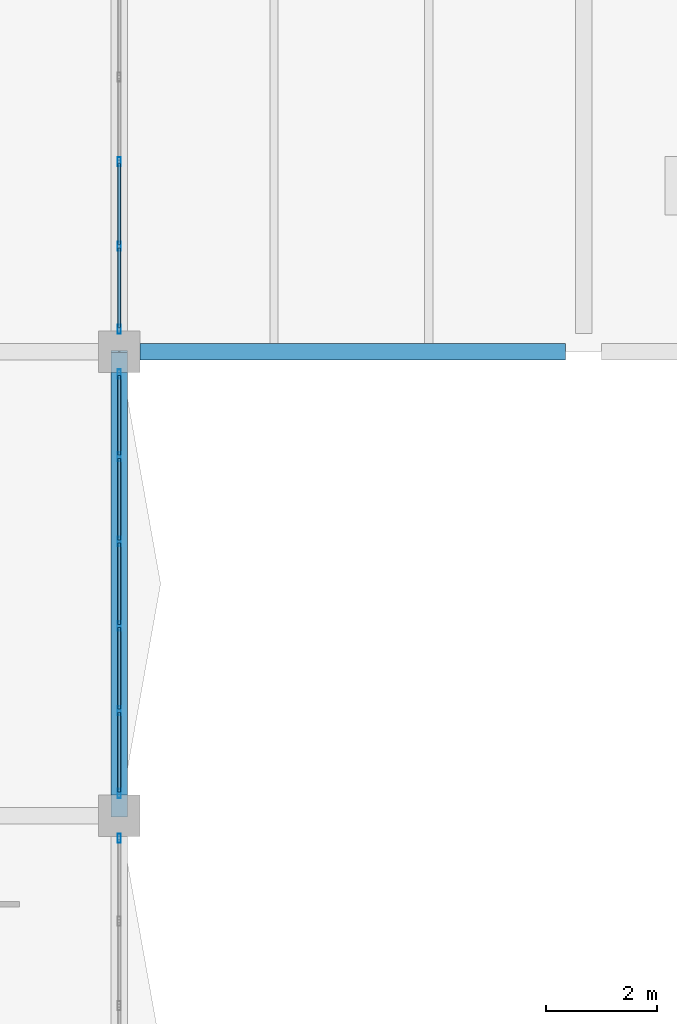
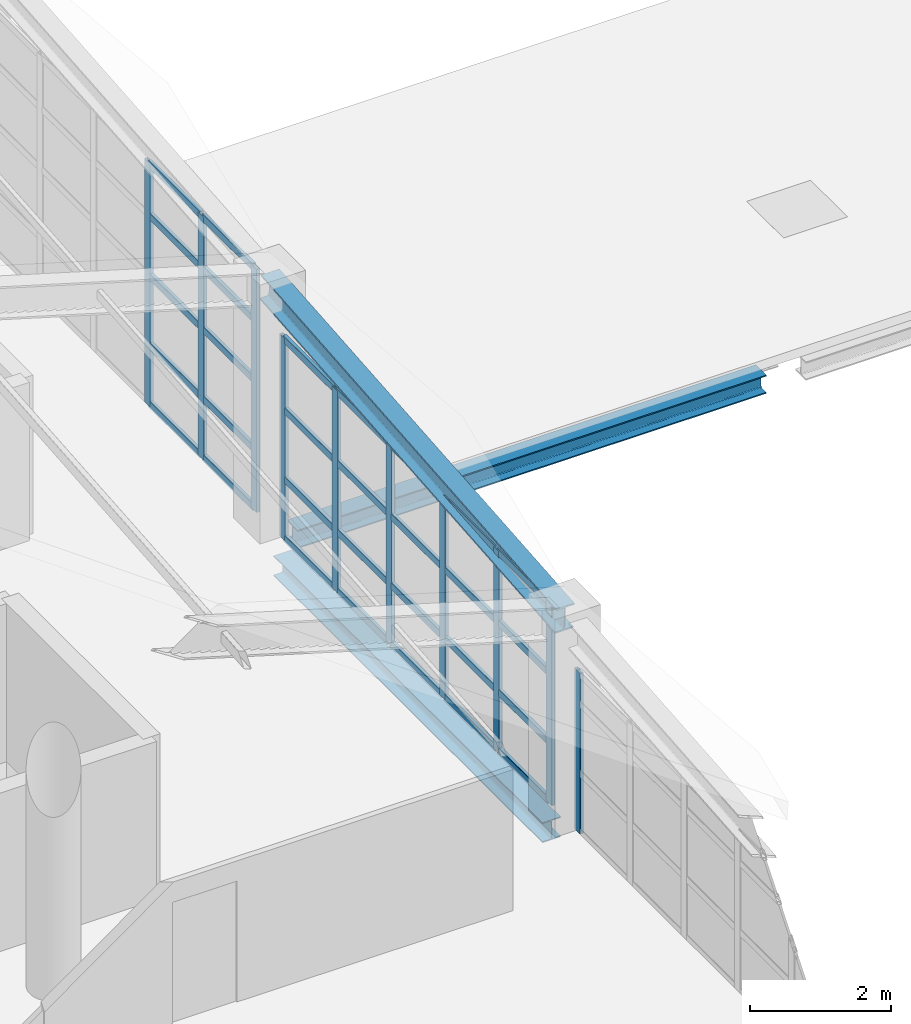
# One storey, part 40 of 95: 41 members, 2 beams, 3 elements without a shape of their own.
"""IFC4 building model written with IfcOpenShell, lengths in metres."""

from ifc_helpers import new_model, si_unit, direction, frame, origin, origin_2d, place, context, subcontext, project, spatial, hollow_rectangle, i_section, extrude, material, layer, layer_set, material_profile, profile_set, type_object, element, aggregate, save


model = new_model("IFC4")

# Units and contexts
model_context = context("Model", 3, precision=1e-05, world=origin(), true_north=direction((0.0, 1.0)))
body_context = subcontext(model_context, "Body", "Model", "MODEL_VIEW")
ifc_project = project(units=[si_unit("LENGTHUNIT", "METRE"), si_unit("AREAUNIT", "SQUARE_METRE"), si_unit("VOLUMEUNIT", "CUBIC_METRE"), si_unit("PLANEANGLEUNIT", "RADIAN"), si_unit("MASSUNIT", "GRAM", prefix="KILO"), si_unit("THERMODYNAMICTEMPERATUREUNIT", "KELVIN"), si_unit("POWERUNIT", "WATT")], contexts=[model_context])

# Site, building, storey
site_placement = place(None, origin())
site = spatial("IfcSite", under=ifc_project, at=site_placement, CompositionType="ELEMENT")
building_placement = place(site_placement, origin())
building = spatial("IfcBuilding", under=site, at=building_placement, Name="Mavoryth Pier Ferry Terminal", CompositionType="ELEMENT")
storey_placement = place(building_placement, frame((0.0, 0.0, 9.60009765625)))
storey = spatial("IfcBuildingStorey", under=building, at=storey_placement, Name="L02", CompositionType="ELEMENT", Elevation=9.60009765625)

# Member
ifc_material_1 = material(Name="Steel S355J2", Category="steel")
ifc_material_profile_1 = material_profile(ifc_material_1, i_section(OverallWidth=0.300048828125, OverallDepth=0.449951171875, WebThickness=0.013916015625, FlangeThickness=0.02587890625, FilletRadius=0.027099609375, at=origin_2d()), Name="HEB 450", Category="steel")
ifc_profile_set_1 = profile_set([ifc_material_profile_1], Name="Steel S355J2 - HEB 450")
member_type_1 = type_object("IfcMemberType", Name="Chord-Eave-HEB450", PredefinedType="CHORD", material=ifc_profile_set_1)
member_1_placement = place(storey_placement, frame((33.60009765625, 80.800048828125, 3.443603515625), z_axis=(0.0, 0.996405760474, 0.084708680154), x_axis=(-1.0, 0.0, 0.0)))
element("IfcMember", 1, at=member_1_placement, inside=storey, type_object=member_type_1, Name="Steel Member MB-L02-0132", PredefinedType="CHORD", context=body_context, shape_type="SweptSolid", body=[
    extrude(i_section(OverallWidth=0.300048828125, OverallDepth=0.449951171875, WebThickness=0.013916015625, FlangeThickness=0.02587890625, FilletRadius=0.027099609375, at=origin_2d()), origin(), (0.0, 0.0, 1.0), 8.43017578125),
])

# Curtain wall, member
ifc_material_2 = material(Name="Anodised Aluminium and Solar-Control Low-E Glass", Category="aluminium")
ifc_layer = layer(ifc_material_2, 0.179931640625, Name="Anodised Aluminium and Solar-Control Low-E Glass", Category="aluminium")
ifc_layer_set = layer_set([ifc_layer], Name="Anodised Aluminium and Solar-Control Low-E Glass - CW-Concourse-Mod1400")
curtain_wall_type = type_object("IfcCurtainWallType", Name="CW-Concourse-Mod1400", PredefinedType="USERDEFINED", material=ifc_layer_set)
curtain_wall_1_placement = place(storey_placement, origin())
curtain_wall_1 = element("IfcCurtainWall", 2, at=curtain_wall_1_placement, inside=storey, type_object=curtain_wall_type, Name="Curtain Wall CW-0222-022", ObjectType="UNITISED CURTAIN WALL", PredefinedType="USERDEFINED")
ifc_material_3 = material(Name="Anodised Aluminium EN AW-6063", Category="aluminium")
ifc_material_profile_2 = material_profile(ifc_material_3, hollow_rectangle(XDim=0.06005859375, YDim=0.1650390625, WallThickness=0.00390625, InnerFilletRadius=0.00390625, OuterFilletRadius=0.008056640625, at=origin_2d()), Name="AL-MULL 165x60x4", Category="aluminium")
ifc_profile_set_2 = profile_set([ifc_material_profile_2], Name="Anodised Aluminium EN AW-6063 - AL-MULL 165x60x4")
member_type_2 = type_object("IfcMemberType", Name="Mullion-Alum-165x60", PredefinedType="MULLION", material=ifc_profile_set_2)
member_2_placement = place(storey_placement, frame((33.60009765625, 80.39501953125, 0.0), z_axis=(0.0, 0.0, 1.0), x_axis=(-1.0, 0.0, 0.0)))
member_2 = element("IfcMember", 3, at=member_2_placement, type_object=member_type_2, Name="CW01 mullion 6", PredefinedType="MULLION", context=body_context, shape_type="SweptSolid", body=[
    extrude(hollow_rectangle(XDim=0.06005859375, YDim=0.1650390625, WallThickness=0.00390625, InnerFilletRadius=0.00390625, OuterFilletRadius=0.008056640625, at=origin_2d()), origin(), (0.0, 0.0, 1.0), 2.79296875),
])
aggregate(curtain_wall_1, [member_2])

# Curtain wall, members
curtain_wall_2_placement = place(storey_placement, origin())
curtain_wall_2 = element("IfcCurtainWall", 4, at=curtain_wall_2_placement, inside=storey, type_object=curtain_wall_type, Name="Curtain Wall CW-0222-024", ObjectType="UNITISED CURTAIN WALL", PredefinedType="USERDEFINED")
member_3_placement = place(storey_placement, frame((33.60009765625, 81.205078125, 0.0), z_axis=(0.0, 0.0, 1.0), x_axis=(-1.0, 0.0, 0.0)))
member_3 = element("IfcMember", 5, at=member_3_placement, type_object=member_type_2, Name="CW01 mullion 1", PredefinedType="MULLION", context=body_context, shape_type="SweptSolid", body=[
    extrude(hollow_rectangle(XDim=0.06005859375, YDim=0.1650390625, WallThickness=0.00390625, InnerFilletRadius=0.00390625, OuterFilletRadius=0.008056640625, at=origin_2d()), origin(), (0.0, 0.0, 1.0), 3.50732421875),
])
member_4_placement = place(storey_placement, frame((33.60009765625, 82.705078125, 0.0), z_axis=(0.0, 0.0, 1.0), x_axis=(-1.0, 0.0, 0.0)))
member_4 = element("IfcMember", 6, at=member_4_placement, type_object=member_type_2, Name="CW01 mullion 2", PredefinedType="MULLION", context=body_context, shape_type="SweptSolid", body=[
    extrude(hollow_rectangle(XDim=0.06005859375, YDim=0.1650390625, WallThickness=0.00390625, InnerFilletRadius=0.00390625, OuterFilletRadius=0.008056640625, at=origin_2d()), origin(), (0.0, 0.0, 1.0), 3.50732421875),
])
member_5_placement = place(storey_placement, frame((33.60009765625, 84.235107421875, 0.0), z_axis=(0.0, 0.0, 1.0), x_axis=(-1.0, 0.0, 0.0)))
member_5 = element("IfcMember", 7, at=member_5_placement, type_object=member_type_2, Name="CW01 mullion 3", PredefinedType="MULLION", context=body_context, shape_type="SweptSolid", body=[
    extrude(hollow_rectangle(XDim=0.06005859375, YDim=0.1650390625, WallThickness=0.00390625, InnerFilletRadius=0.00390625, OuterFilletRadius=0.008056640625, at=origin_2d()), origin(), (0.0, 0.0, 1.0), 3.50732421875),
])
member_6_placement = place(storey_placement, frame((33.60009765625, 85.764892578125, 0.0), z_axis=(0.0, 0.0, 1.0), x_axis=(-1.0, 0.0, 0.0)))
member_6 = element("IfcMember", 8, at=member_6_placement, type_object=member_type_2, Name="CW01 mullion 4", PredefinedType="MULLION", context=body_context, shape_type="SweptSolid", body=[
    extrude(hollow_rectangle(XDim=0.06005859375, YDim=0.1650390625, WallThickness=0.00390625, InnerFilletRadius=0.00390625, OuterFilletRadius=0.008056640625, at=origin_2d()), origin(), (0.0, 0.0, 1.0), 3.50732421875),
])
member_7_placement = place(storey_placement, frame((33.60009765625, 87.294921875, 0.0), z_axis=(0.0, 0.0, 1.0), x_axis=(-1.0, 0.0, 0.0)))
member_7 = element("IfcMember", 9, at=member_7_placement, type_object=member_type_2, Name="CW01 mullion 5", PredefinedType="MULLION", context=body_context, shape_type="SweptSolid", body=[
    extrude(hollow_rectangle(XDim=0.06005859375, YDim=0.1650390625, WallThickness=0.00390625, InnerFilletRadius=0.00390625, OuterFilletRadius=0.008056640625, at=origin_2d()), origin(), (0.0, 0.0, 1.0), 3.50732421875),
])
member_8_placement = place(storey_placement, frame((33.60009765625, 88.794921875, 0.0), z_axis=(0.0, 0.0, 1.0), x_axis=(-1.0, 0.0, 0.0)))
member_8 = element("IfcMember", 10, at=member_8_placement, type_object=member_type_2, Name="CW01 mullion 6", PredefinedType="MULLION", context=body_context, shape_type="SweptSolid", body=[
    extrude(hollow_rectangle(XDim=0.06005859375, YDim=0.1650390625, WallThickness=0.00390625, InnerFilletRadius=0.00390625, OuterFilletRadius=0.008056640625, at=origin_2d()), origin(), (0.0, 0.0, 1.0), 3.50732421875),
])

curtain_wall_3_placement = place(storey_placement, origin())
curtain_wall_3 = element("IfcCurtainWall", 11, at=curtain_wall_3_placement, inside=storey, type_object=curtain_wall_type, Name="Curtain Wall CW-0222-029", ObjectType="UNITISED CURTAIN WALL", PredefinedType="USERDEFINED")
member_9_placement = place(storey_placement, frame((33.60009765625, 89.60498046875, 0.0), z_axis=(0.0, 0.0, 1.0), x_axis=(-1.0, 0.0, 0.0)))
member_9 = element("IfcMember", 12, at=member_9_placement, type_object=member_type_2, Name="CW01 mullion 1", PredefinedType="MULLION", context=body_context, shape_type="SweptSolid", body=[
    extrude(hollow_rectangle(XDim=0.06005859375, YDim=0.1650390625, WallThickness=0.00390625, InnerFilletRadius=0.00390625, OuterFilletRadius=0.008056640625, at=origin_2d()), origin(), (0.0, 0.0, 1.0), 4.2216796875),
])
member_10_placement = place(storey_placement, frame((33.60009765625, 91.10498046875, 0.0), z_axis=(0.0, 0.0, 1.0), x_axis=(-1.0, 0.0, 0.0)))
member_10 = element("IfcMember", 13, at=member_10_placement, type_object=member_type_2, Name="CW01 mullion 2", PredefinedType="MULLION", context=body_context, shape_type="SweptSolid", body=[
    extrude(hollow_rectangle(XDim=0.06005859375, YDim=0.1650390625, WallThickness=0.00390625, InnerFilletRadius=0.00390625, OuterFilletRadius=0.008056640625, at=origin_2d()), origin(), (0.0, 0.0, 1.0), 4.2216796875),
])
member_11_placement = place(storey_placement, frame((33.60009765625, 92.635009765625, 0.0), z_axis=(0.0, 0.0, 1.0), x_axis=(-1.0, 0.0, 0.0)))
member_11 = element("IfcMember", 14, at=member_11_placement, type_object=member_type_2, Name="CW01 mullion 3", PredefinedType="MULLION", context=body_context, shape_type="SweptSolid", body=[
    extrude(hollow_rectangle(XDim=0.06005859375, YDim=0.1650390625, WallThickness=0.00390625, InnerFilletRadius=0.00390625, OuterFilletRadius=0.008056640625, at=origin_2d()), origin(), (0.0, 0.0, 1.0), 4.2216796875),
])

# Beams
ifc_material_profile_3 = material_profile(ifc_material_1, i_section(OverallWidth=0.300048828125, OverallDepth=0.35009765625, WebThickness=0.010009765625, FlangeThickness=0.017578125, FilletRadius=0.027099609375, at=origin_2d()), Name="HEA 360", Category="steel")
ifc_profile_set_3 = profile_set([ifc_material_profile_3], Name="Steel S355J2 - HEA 360")
beam_type_1 = type_object("IfcBeamType", Name="Spandrel-Steel-HEA360", PredefinedType="SPANDREL", material=ifc_profile_set_3)
beam_1_placement = place(storey_placement, frame((33.60009765625, 81.175048828125, -0.455078125), z_axis=(0.0, 1.0, 0.0), x_axis=(-1.0, 0.0, 0.0)))
element("IfcBeam", 15, at=beam_1_placement, inside=storey, type_object=beam_type_1, Name="Beam B02-SP03-0649", PredefinedType="SPANDREL", context=body_context, shape_type="SweptSolid", body=[
    extrude(i_section(OverallWidth=0.300048828125, OverallDepth=0.35009765625, WebThickness=0.010009765625, FlangeThickness=0.017578125, FilletRadius=0.027099609375, at=origin_2d()), origin(), (0.0, 0.0, 1.0), 7.64990234375),
])
ifc_material_profile_4 = material_profile(ifc_material_1, i_section(OverallWidth=0.300048828125, OverallDepth=0.320068359375, WebThickness=0.011474609375, FlangeThickness=0.0205078125, FilletRadius=0.027099609375, at=origin_2d()), Name="HEB 320", Category="steel")
ifc_profile_set_4 = profile_set([ifc_material_profile_4], Name="Steel S355J2 - HEB 320")
beam_type_2 = type_object("IfcBeamType", Name="Spandrel-Steel-HEB320", PredefinedType="SPANDREL", material=ifc_profile_set_4)
beam_2_placement = place(storey_placement, frame((33.97509765625, 89.199951171875, -0.320068359375), z_axis=(1.0, 0.0, 0.0), x_axis=(0.0, 1.0, 0.0)))
element("IfcBeam", 16, at=beam_2_placement, inside=storey, type_object=beam_type_2, Name="Beam B02-SP04-0687", PredefinedType="SPANDREL", context=body_context, shape_type="SweptSolid", body=[
    extrude(i_section(OverallWidth=0.300048828125, OverallDepth=0.320068359375, WebThickness=0.011474609375, FlangeThickness=0.0205078125, FilletRadius=0.027099609375, at=origin_2d()), origin(), (0.0, 0.0, 1.0), 7.699951171875),
])

# Member
ifc_material_profile_5 = material_profile(ifc_material_3, hollow_rectangle(XDim=0.06005859375, YDim=0.125, WallThickness=0.00390625, InnerFilletRadius=0.00390625, OuterFilletRadius=0.008056640625, at=origin_2d()), Name="AL-TRAN 125x60x4", Category="aluminium")
ifc_profile_set_5 = profile_set([ifc_material_profile_5], Name="Anodised Aluminium EN AW-6063 - AL-TRAN 125x60x4")
member_type_3 = type_object("IfcMemberType", Name="Transom-Alum-125x60", PredefinedType="USERDEFINED", material=ifc_profile_set_5)
member_12_placement = place(storey_placement, frame((33.60009765625, 81.235107421875, 0.02978515625), z_axis=(0.0, 1.0, 0.0), x_axis=(-1.0, 0.0, 0.0)))
member_12 = element("IfcMember", 17, at=member_12_placement, type_object=member_type_3, Name="CW01 transom 1.1", ObjectType="TRANSOM", PredefinedType="USERDEFINED", context=body_context, shape_type="SweptSolid", body=[
    extrude(hollow_rectangle(XDim=0.06005859375, YDim=0.125, WallThickness=0.00390625, InnerFilletRadius=0.00390625, OuterFilletRadius=0.008056640625, at=origin_2d()), origin(), (0.0, 0.0, 1.0), 1.43994140625),
])

member_13_placement = place(storey_placement, frame((33.60009765625, 81.235107421875, 1.0498046875), z_axis=(0.0, 1.0, 0.0), x_axis=(-1.0, 0.0, 0.0)))
member_13 = element("IfcMember", 18, at=member_13_placement, type_object=member_type_3, Name="CW01 transom 1.2", ObjectType="TRANSOM", PredefinedType="USERDEFINED", context=body_context, shape_type="SweptSolid", body=[
    extrude(hollow_rectangle(XDim=0.06005859375, YDim=0.125, WallThickness=0.00390625, InnerFilletRadius=0.00390625, OuterFilletRadius=0.008056640625, at=origin_2d()), origin(), (0.0, 0.0, 1.0), 1.43994140625),
])

member_14_placement = place(storey_placement, frame((33.60009765625, 81.235107421875, 2.25), z_axis=(0.0, 1.0, 0.0), x_axis=(-1.0, 0.0, 0.0)))
member_14 = element("IfcMember", 19, at=member_14_placement, type_object=member_type_3, Name="CW01 transom 1.3", ObjectType="TRANSOM", PredefinedType="USERDEFINED", context=body_context, shape_type="SweptSolid", body=[
    extrude(hollow_rectangle(XDim=0.06005859375, YDim=0.125, WallThickness=0.00390625, InnerFilletRadius=0.00390625, OuterFilletRadius=0.008056640625, at=origin_2d()), origin(), (0.0, 0.0, 1.0), 1.43994140625),
])

member_15_placement = place(storey_placement, frame((33.60009765625, 81.235107421875, 3.477294921875), z_axis=(0.0, 1.0, 0.0), x_axis=(-1.0, 0.0, 0.0)))
member_15 = element("IfcMember", 20, at=member_15_placement, type_object=member_type_3, Name="CW01 transom 1.4", ObjectType="TRANSOM", PredefinedType="USERDEFINED", context=body_context, shape_type="SweptSolid", body=[
    extrude(hollow_rectangle(XDim=0.06005859375, YDim=0.125, WallThickness=0.00390625, InnerFilletRadius=0.00390625, OuterFilletRadius=0.008056640625, at=origin_2d()), origin(), (0.0, 0.0, 1.0), 1.43994140625),
])

member_16_placement = place(storey_placement, frame((33.60009765625, 82.735107421875, 0.02978515625), z_axis=(0.0, 1.0, 0.0), x_axis=(-1.0, 0.0, 0.0)))
member_16 = element("IfcMember", 21, at=member_16_placement, type_object=member_type_3, Name="CW01 transom 2.1", ObjectType="TRANSOM", PredefinedType="USERDEFINED", context=body_context, shape_type="SweptSolid", body=[
    extrude(hollow_rectangle(XDim=0.06005859375, YDim=0.125, WallThickness=0.00390625, InnerFilletRadius=0.00390625, OuterFilletRadius=0.008056640625, at=origin_2d()), origin(), (0.0, 0.0, 1.0), 1.469970703125),
])

member_17_placement = place(storey_placement, frame((33.60009765625, 82.735107421875, 1.0498046875), z_axis=(0.0, 1.0, 0.0), x_axis=(-1.0, 0.0, 0.0)))
member_17 = element("IfcMember", 22, at=member_17_placement, type_object=member_type_3, Name="CW01 transom 2.2", ObjectType="TRANSOM", PredefinedType="USERDEFINED", context=body_context, shape_type="SweptSolid", body=[
    extrude(hollow_rectangle(XDim=0.06005859375, YDim=0.125, WallThickness=0.00390625, InnerFilletRadius=0.00390625, OuterFilletRadius=0.008056640625, at=origin_2d()), origin(), (0.0, 0.0, 1.0), 1.469970703125),
])

member_18_placement = place(storey_placement, frame((33.60009765625, 82.735107421875, 2.25), z_axis=(0.0, 1.0, 0.0), x_axis=(-1.0, 0.0, 0.0)))
member_18 = element("IfcMember", 23, at=member_18_placement, type_object=member_type_3, Name="CW01 transom 2.3", ObjectType="TRANSOM", PredefinedType="USERDEFINED", context=body_context, shape_type="SweptSolid", body=[
    extrude(hollow_rectangle(XDim=0.06005859375, YDim=0.125, WallThickness=0.00390625, InnerFilletRadius=0.00390625, OuterFilletRadius=0.008056640625, at=origin_2d()), origin(), (0.0, 0.0, 1.0), 1.469970703125),
])

member_19_placement = place(storey_placement, frame((33.60009765625, 82.735107421875, 3.477294921875), z_axis=(0.0, 1.0, 0.0), x_axis=(-1.0, 0.0, 0.0)))
member_19 = element("IfcMember", 24, at=member_19_placement, type_object=member_type_3, Name="CW01 transom 2.4", ObjectType="TRANSOM", PredefinedType="USERDEFINED", context=body_context, shape_type="SweptSolid", body=[
    extrude(hollow_rectangle(XDim=0.06005859375, YDim=0.125, WallThickness=0.00390625, InnerFilletRadius=0.00390625, OuterFilletRadius=0.008056640625, at=origin_2d()), origin(), (0.0, 0.0, 1.0), 1.469970703125),
])

member_20_placement = place(storey_placement, frame((33.60009765625, 84.264892578125, 0.02978515625), z_axis=(0.0, 1.0, 0.0), x_axis=(-1.0, 0.0, 0.0)))
member_20 = element("IfcMember", 25, at=member_20_placement, type_object=member_type_3, Name="CW01 transom 3.1", ObjectType="TRANSOM", PredefinedType="USERDEFINED", context=body_context, shape_type="SweptSolid", body=[
    extrude(hollow_rectangle(XDim=0.06005859375, YDim=0.125, WallThickness=0.00390625, InnerFilletRadius=0.00390625, OuterFilletRadius=0.008056640625, at=origin_2d()), origin(), (0.0, 0.0, 1.0), 1.47021484375),
])

member_21_placement = place(storey_placement, frame((33.60009765625, 84.264892578125, 1.0498046875), z_axis=(0.0, 1.0, 0.0), x_axis=(-1.0, 0.0, 0.0)))
member_21 = element("IfcMember", 26, at=member_21_placement, type_object=member_type_3, Name="CW01 transom 3.2", ObjectType="TRANSOM", PredefinedType="USERDEFINED", context=body_context, shape_type="SweptSolid", body=[
    extrude(hollow_rectangle(XDim=0.06005859375, YDim=0.125, WallThickness=0.00390625, InnerFilletRadius=0.00390625, OuterFilletRadius=0.008056640625, at=origin_2d()), origin(), (0.0, 0.0, 1.0), 1.47021484375),
])

member_22_placement = place(storey_placement, frame((33.60009765625, 84.264892578125, 2.25), z_axis=(0.0, 1.0, 0.0), x_axis=(-1.0, 0.0, 0.0)))
member_22 = element("IfcMember", 27, at=member_22_placement, type_object=member_type_3, Name="CW01 transom 3.3", ObjectType="TRANSOM", PredefinedType="USERDEFINED", context=body_context, shape_type="SweptSolid", body=[
    extrude(hollow_rectangle(XDim=0.06005859375, YDim=0.125, WallThickness=0.00390625, InnerFilletRadius=0.00390625, OuterFilletRadius=0.008056640625, at=origin_2d()), origin(), (0.0, 0.0, 1.0), 1.47021484375),
])

member_23_placement = place(storey_placement, frame((33.60009765625, 84.264892578125, 3.477294921875), z_axis=(0.0, 1.0, 0.0), x_axis=(-1.0, 0.0, 0.0)))
member_23 = element("IfcMember", 28, at=member_23_placement, type_object=member_type_3, Name="CW01 transom 3.4", ObjectType="TRANSOM", PredefinedType="USERDEFINED", context=body_context, shape_type="SweptSolid", body=[
    extrude(hollow_rectangle(XDim=0.06005859375, YDim=0.125, WallThickness=0.00390625, InnerFilletRadius=0.00390625, OuterFilletRadius=0.008056640625, at=origin_2d()), origin(), (0.0, 0.0, 1.0), 1.47021484375),
])

member_24_placement = place(storey_placement, frame((33.60009765625, 85.794921875, 0.02978515625), z_axis=(0.0, 1.0, 0.0), x_axis=(-1.0, 0.0, 0.0)))
member_24 = element("IfcMember", 29, at=member_24_placement, type_object=member_type_3, Name="CW01 transom 4.1", ObjectType="TRANSOM", PredefinedType="USERDEFINED", context=body_context, shape_type="SweptSolid", body=[
    extrude(hollow_rectangle(XDim=0.06005859375, YDim=0.125, WallThickness=0.00390625, InnerFilletRadius=0.00390625, OuterFilletRadius=0.008056640625, at=origin_2d()), origin(), (0.0, 0.0, 1.0), 1.469970703125),
])

member_25_placement = place(storey_placement, frame((33.60009765625, 85.794921875, 1.0498046875), z_axis=(0.0, 1.0, 0.0), x_axis=(-1.0, 0.0, 0.0)))
member_25 = element("IfcMember", 30, at=member_25_placement, type_object=member_type_3, Name="CW01 transom 4.2", ObjectType="TRANSOM", PredefinedType="USERDEFINED", context=body_context, shape_type="SweptSolid", body=[
    extrude(hollow_rectangle(XDim=0.06005859375, YDim=0.125, WallThickness=0.00390625, InnerFilletRadius=0.00390625, OuterFilletRadius=0.008056640625, at=origin_2d()), origin(), (0.0, 0.0, 1.0), 1.469970703125),
])

member_26_placement = place(storey_placement, frame((33.60009765625, 85.794921875, 2.25), z_axis=(0.0, 1.0, 0.0), x_axis=(-1.0, 0.0, 0.0)))
member_26 = element("IfcMember", 31, at=member_26_placement, type_object=member_type_3, Name="CW01 transom 4.3", ObjectType="TRANSOM", PredefinedType="USERDEFINED", context=body_context, shape_type="SweptSolid", body=[
    extrude(hollow_rectangle(XDim=0.06005859375, YDim=0.125, WallThickness=0.00390625, InnerFilletRadius=0.00390625, OuterFilletRadius=0.008056640625, at=origin_2d()), origin(), (0.0, 0.0, 1.0), 1.469970703125),
])

member_27_placement = place(storey_placement, frame((33.60009765625, 85.794921875, 3.477294921875), z_axis=(0.0, 1.0, 0.0), x_axis=(-1.0, 0.0, 0.0)))
member_27 = element("IfcMember", 32, at=member_27_placement, type_object=member_type_3, Name="CW01 transom 4.4", ObjectType="TRANSOM", PredefinedType="USERDEFINED", context=body_context, shape_type="SweptSolid", body=[
    extrude(hollow_rectangle(XDim=0.06005859375, YDim=0.125, WallThickness=0.00390625, InnerFilletRadius=0.00390625, OuterFilletRadius=0.008056640625, at=origin_2d()), origin(), (0.0, 0.0, 1.0), 1.469970703125),
])

member_28_placement = place(storey_placement, frame((33.60009765625, 87.324951171875, 0.02978515625), z_axis=(0.0, 1.0, 0.0), x_axis=(-1.0, 0.0, 0.0)))
member_28 = element("IfcMember", 33, at=member_28_placement, type_object=member_type_3, Name="CW01 transom 5.1", ObjectType="TRANSOM", PredefinedType="USERDEFINED", context=body_context, shape_type="SweptSolid", body=[
    extrude(hollow_rectangle(XDim=0.06005859375, YDim=0.125, WallThickness=0.00390625, InnerFilletRadius=0.00390625, OuterFilletRadius=0.008056640625, at=origin_2d()), origin(), (0.0, 0.0, 1.0), 1.43994140625),
])

member_29_placement = place(storey_placement, frame((33.60009765625, 87.324951171875, 1.0498046875), z_axis=(0.0, 1.0, 0.0), x_axis=(-1.0, 0.0, 0.0)))
member_29 = element("IfcMember", 34, at=member_29_placement, type_object=member_type_3, Name="CW01 transom 5.2", ObjectType="TRANSOM", PredefinedType="USERDEFINED", context=body_context, shape_type="SweptSolid", body=[
    extrude(hollow_rectangle(XDim=0.06005859375, YDim=0.125, WallThickness=0.00390625, InnerFilletRadius=0.00390625, OuterFilletRadius=0.008056640625, at=origin_2d()), origin(), (0.0, 0.0, 1.0), 1.43994140625),
])

member_30_placement = place(storey_placement, frame((33.60009765625, 87.324951171875, 2.25), z_axis=(0.0, 1.0, 0.0), x_axis=(-1.0, 0.0, 0.0)))
member_30 = element("IfcMember", 35, at=member_30_placement, type_object=member_type_3, Name="CW01 transom 5.3", ObjectType="TRANSOM", PredefinedType="USERDEFINED", context=body_context, shape_type="SweptSolid", body=[
    extrude(hollow_rectangle(XDim=0.06005859375, YDim=0.125, WallThickness=0.00390625, InnerFilletRadius=0.00390625, OuterFilletRadius=0.008056640625, at=origin_2d()), origin(), (0.0, 0.0, 1.0), 1.43994140625),
])

member_31_placement = place(storey_placement, frame((33.60009765625, 87.324951171875, 3.477294921875), z_axis=(0.0, 1.0, 0.0), x_axis=(-1.0, 0.0, 0.0)))
member_31 = element("IfcMember", 36, at=member_31_placement, type_object=member_type_3, Name="CW01 transom 5.4", ObjectType="TRANSOM", PredefinedType="USERDEFINED", context=body_context, shape_type="SweptSolid", body=[
    extrude(hollow_rectangle(XDim=0.06005859375, YDim=0.125, WallThickness=0.00390625, InnerFilletRadius=0.00390625, OuterFilletRadius=0.008056640625, at=origin_2d()), origin(), (0.0, 0.0, 1.0), 1.43994140625),
])

aggregate(curtain_wall_2, [member_3, member_4, member_5, member_6, member_7, member_8, member_12, member_13, member_14, member_15, member_16, member_17, member_18, member_19, member_20, member_21, member_22, member_23, member_24, member_25, member_26, member_27, member_28, member_29, member_30, member_31])

member_32_placement = place(storey_placement, frame((33.60009765625, 89.635009765625, 0.02978515625), z_axis=(0.0, 1.0, 0.0), x_axis=(-1.0, 0.0, 0.0)))
member_32 = element("IfcMember", 37, at=member_32_placement, type_object=member_type_3, Name="CW01 transom 1.1", ObjectType="TRANSOM", PredefinedType="USERDEFINED", context=body_context, shape_type="SweptSolid", body=[
    extrude(hollow_rectangle(XDim=0.06005859375, YDim=0.125, WallThickness=0.00390625, InnerFilletRadius=0.00390625, OuterFilletRadius=0.008056640625, at=origin_2d()), origin(), (0.0, 0.0, 1.0), 1.43994140625),
])

member_33_placement = place(storey_placement, frame((33.60009765625, 89.635009765625, 1.0498046875), z_axis=(0.0, 1.0, 0.0), x_axis=(-1.0, 0.0, 0.0)))
member_33 = element("IfcMember", 38, at=member_33_placement, type_object=member_type_3, Name="CW01 transom 1.2", ObjectType="TRANSOM", PredefinedType="USERDEFINED", context=body_context, shape_type="SweptSolid", body=[
    extrude(hollow_rectangle(XDim=0.06005859375, YDim=0.125, WallThickness=0.00390625, InnerFilletRadius=0.00390625, OuterFilletRadius=0.008056640625, at=origin_2d()), origin(), (0.0, 0.0, 1.0), 1.43994140625),
])

member_34_placement = place(storey_placement, frame((33.60009765625, 89.635009765625, 2.25), z_axis=(0.0, 1.0, 0.0), x_axis=(-1.0, 0.0, 0.0)))
member_34 = element("IfcMember", 39, at=member_34_placement, type_object=member_type_3, Name="CW01 transom 1.3", ObjectType="TRANSOM", PredefinedType="USERDEFINED", context=body_context, shape_type="SweptSolid", body=[
    extrude(hollow_rectangle(XDim=0.06005859375, YDim=0.125, WallThickness=0.00390625, InnerFilletRadius=0.00390625, OuterFilletRadius=0.008056640625, at=origin_2d()), origin(), (0.0, 0.0, 1.0), 1.43994140625),
])

member_35_placement = place(storey_placement, frame((33.60009765625, 89.635009765625, 3.2998046875), z_axis=(0.0, 1.0, 0.0), x_axis=(-1.0, 0.0, 0.0)))
member_35 = element("IfcMember", 40, at=member_35_placement, type_object=member_type_3, Name="CW01 transom 1.4", ObjectType="TRANSOM", PredefinedType="USERDEFINED", context=body_context, shape_type="SweptSolid", body=[
    extrude(hollow_rectangle(XDim=0.06005859375, YDim=0.125, WallThickness=0.00390625, InnerFilletRadius=0.00390625, OuterFilletRadius=0.008056640625, at=origin_2d()), origin(), (0.0, 0.0, 1.0), 1.43994140625),
])

member_36_placement = place(storey_placement, frame((33.60009765625, 89.635009765625, 4.191650390625), z_axis=(0.0, 1.0, 0.0), x_axis=(-1.0, 0.0, 0.0)))
member_36 = element("IfcMember", 41, at=member_36_placement, type_object=member_type_3, Name="CW01 transom 1.5", ObjectType="TRANSOM", PredefinedType="USERDEFINED", context=body_context, shape_type="SweptSolid", body=[
    extrude(hollow_rectangle(XDim=0.06005859375, YDim=0.125, WallThickness=0.00390625, InnerFilletRadius=0.00390625, OuterFilletRadius=0.008056640625, at=origin_2d()), origin(), (0.0, 0.0, 1.0), 1.43994140625),
])

member_37_placement = place(storey_placement, frame((33.60009765625, 91.135009765625, 0.02978515625), z_axis=(0.0, 1.0, 0.0), x_axis=(-1.0, 0.0, 0.0)))
member_37 = element("IfcMember", 42, at=member_37_placement, type_object=member_type_3, Name="CW01 transom 2.1", ObjectType="TRANSOM", PredefinedType="USERDEFINED", context=body_context, shape_type="SweptSolid", body=[
    extrude(hollow_rectangle(XDim=0.06005859375, YDim=0.125, WallThickness=0.00390625, InnerFilletRadius=0.00390625, OuterFilletRadius=0.008056640625, at=origin_2d()), origin(), (0.0, 0.0, 1.0), 1.469970703125),
])

member_38_placement = place(storey_placement, frame((33.60009765625, 91.135009765625, 1.0498046875), z_axis=(0.0, 1.0, 0.0), x_axis=(-1.0, 0.0, 0.0)))
member_38 = element("IfcMember", 43, at=member_38_placement, type_object=member_type_3, Name="CW01 transom 2.2", ObjectType="TRANSOM", PredefinedType="USERDEFINED", context=body_context, shape_type="SweptSolid", body=[
    extrude(hollow_rectangle(XDim=0.06005859375, YDim=0.125, WallThickness=0.00390625, InnerFilletRadius=0.00390625, OuterFilletRadius=0.008056640625, at=origin_2d()), origin(), (0.0, 0.0, 1.0), 1.469970703125),
])

member_39_placement = place(storey_placement, frame((33.60009765625, 91.135009765625, 2.25), z_axis=(0.0, 1.0, 0.0), x_axis=(-1.0, 0.0, 0.0)))
member_39 = element("IfcMember", 44, at=member_39_placement, type_object=member_type_3, Name="CW01 transom 2.3", ObjectType="TRANSOM", PredefinedType="USERDEFINED", context=body_context, shape_type="SweptSolid", body=[
    extrude(hollow_rectangle(XDim=0.06005859375, YDim=0.125, WallThickness=0.00390625, InnerFilletRadius=0.00390625, OuterFilletRadius=0.008056640625, at=origin_2d()), origin(), (0.0, 0.0, 1.0), 1.469970703125),
])

member_40_placement = place(storey_placement, frame((33.60009765625, 91.135009765625, 3.2998046875), z_axis=(0.0, 1.0, 0.0), x_axis=(-1.0, 0.0, 0.0)))
member_40 = element("IfcMember", 45, at=member_40_placement, type_object=member_type_3, Name="CW01 transom 2.4", ObjectType="TRANSOM", PredefinedType="USERDEFINED", context=body_context, shape_type="SweptSolid", body=[
    extrude(hollow_rectangle(XDim=0.06005859375, YDim=0.125, WallThickness=0.00390625, InnerFilletRadius=0.00390625, OuterFilletRadius=0.008056640625, at=origin_2d()), origin(), (0.0, 0.0, 1.0), 1.469970703125),
])

member_41_placement = place(storey_placement, frame((33.60009765625, 91.135009765625, 4.191650390625), z_axis=(0.0, 1.0, 0.0), x_axis=(-1.0, 0.0, 0.0)))
member_41 = element("IfcMember", 46, at=member_41_placement, type_object=member_type_3, Name="CW01 transom 2.5", ObjectType="TRANSOM", PredefinedType="USERDEFINED", context=body_context, shape_type="SweptSolid", body=[
    extrude(hollow_rectangle(XDim=0.06005859375, YDim=0.125, WallThickness=0.00390625, InnerFilletRadius=0.00390625, OuterFilletRadius=0.008056640625, at=origin_2d()), origin(), (0.0, 0.0, 1.0), 1.469970703125),
])

aggregate(curtain_wall_3, [member_9, member_10, member_11, member_32, member_33, member_34, member_35, member_36, member_37, member_38, member_39, member_40, member_41])

save(model, "model.ifc")
